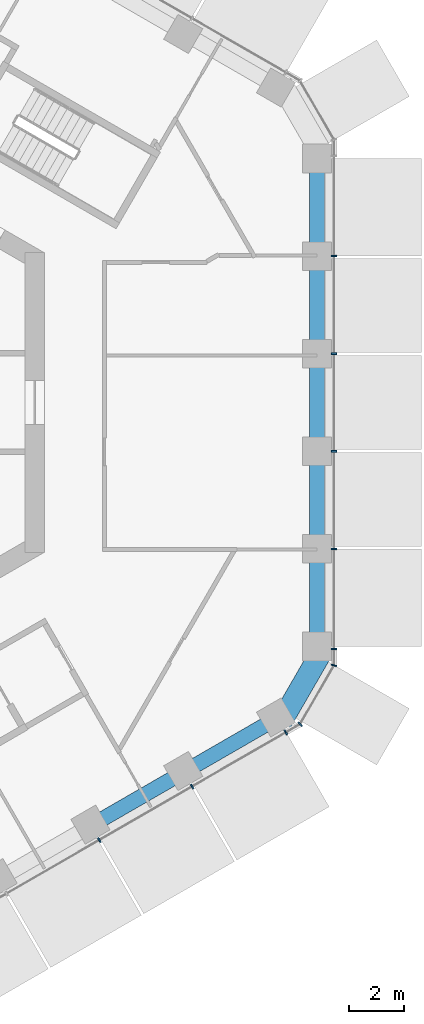
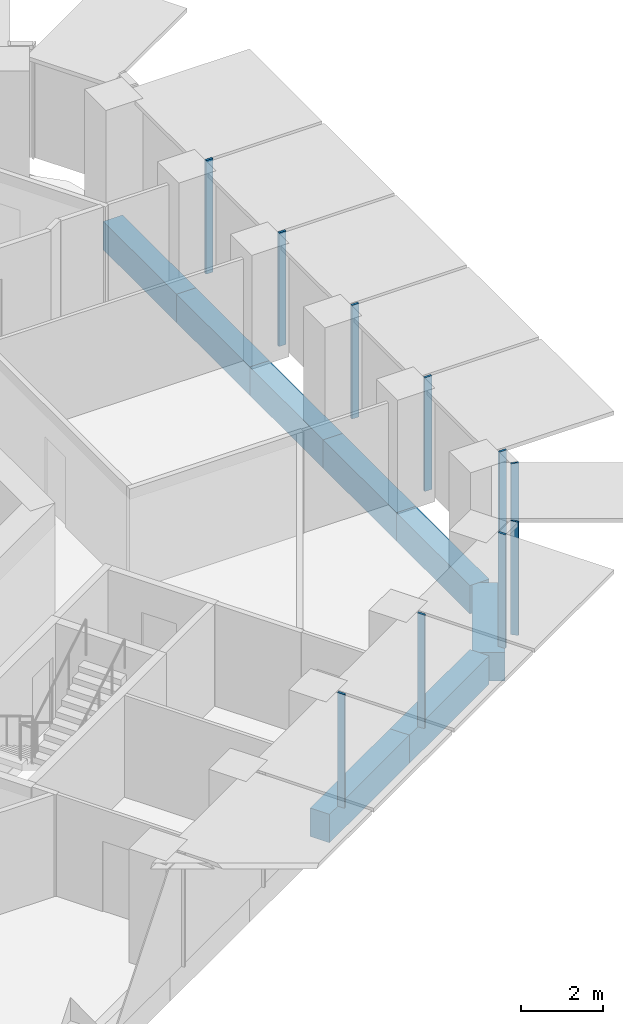
# One storey, part 4 of 18: 10 members, 8 beams, 3 elements without a shape of their own.
"""IFC4 building model written with IfcOpenShell, lengths in metres."""

from ifc_helpers import new_model, si_unit, direction, frame, origin, origin_2d, place, context, subcontext, project, spatial, rectangle, extrude, material, layer, layer_set, material_profile, profile_set, type_object, element, aggregate, save


model = new_model("IFC4")

# Units and contexts
model_context = context("Model", 3, precision=1e-05, world=origin(), true_north=direction((0.0, 1.0)))
body_context = subcontext(model_context, "Body", "Model", "MODEL_VIEW")
ifc_project = project(units=[si_unit("LENGTHUNIT", "METRE"), si_unit("AREAUNIT", "SQUARE_METRE"), si_unit("VOLUMEUNIT", "CUBIC_METRE"), si_unit("PLANEANGLEUNIT", "RADIAN"), si_unit("MASSUNIT", "GRAM", prefix="KILO")], contexts=[model_context])

# Site, building, storey
site_placement = place(None, origin())
site = spatial("IfcSite", under=ifc_project, at=site_placement, CompositionType="ELEMENT")
building_placement = place(site_placement, origin())
building = spatial("IfcBuilding", under=site, at=building_placement, Name="Ayvan Gate Tower", CompositionType="ELEMENT")
storey_placement = place(building_placement, frame((0.0, 0.0, 110.300048828125)))
storey = spatial("IfcBuildingStorey", under=building, at=storey_placement, Name="L29", CompositionType="ELEMENT", Elevation=110.300048828125)

# Beams
ifc_material_1 = material(Name="Concrete C40/50", Category="concrete")
ifc_material_profile_1 = material_profile(ifc_material_1, rectangle(XDim=0.800048828125, YDim=0.85009765625, at=origin_2d()), Name="RC 800x850")
ifc_profile_set_1 = profile_set([ifc_material_profile_1], Name="Concrete C40/50")
beam_type_1 = type_object("IfcBeamType", Name="Corner spandrel beam RC 800x850 C40/50", PredefinedType="BEAM", material=ifc_profile_set_1)
beam_1_placement = place(storey_placement, frame((18.176025390625, -11.693359375, -0.775146484375), z_axis=(0.50002537861, 0.866010750942, 0.0), x_axis=(-0.866010750942, 0.50002537861, 0.0)))
element("IfcBeam", 1, at=beam_1_placement, inside=storey, type_object=beam_type_1, Name="SB-L29-36", PredefinedType="BEAM", context=body_context, shape_type="SweptSolid", body=[
    extrude(rectangle(XDim=0.800048828125, YDim=0.85009765625, at=origin_2d()), origin(), (0.0, 0.0, 1.0), 2.999755859375),
])
ifc_material_profile_2 = material_profile(ifc_material_1, rectangle(XDim=0.550048828125, YDim=0.85009765625, at=origin_2d()), Name="RC 550x850")
ifc_profile_set_2 = profile_set([ifc_material_profile_2], Name="Concrete C40/50")
beam_type_2 = type_object("IfcBeamType", Name="Spandrel beam RC 550x850 C40/50", PredefinedType="BEAM", material=ifc_profile_set_2)
beam_2_placement = place(storey_placement, frame((19.485595703125, -8.9853515625, -0.775146484375), z_axis=(0.0, 1.0, 0.0), x_axis=(-1.0, 0.0, 0.0)))
element("IfcBeam", 2, at=beam_2_placement, inside=storey, type_object=beam_type_2, Name="SB-L29-1", PredefinedType="BEAM", context=body_context, shape_type="SweptSolid", body=[
    extrude(rectangle(XDim=0.550048828125, YDim=0.85009765625, at=origin_2d()), origin(), (0.0, 0.0, 1.0), 3.59423828125),
])
beam_3_placement = place(storey_placement, frame((19.485595703125, -5.39111328125, -0.775146484375), z_axis=(0.0, 1.0, 0.0), x_axis=(-1.0, 0.0, 0.0)))
element("IfcBeam", 3, at=beam_3_placement, inside=storey, type_object=beam_type_2, Name="SB-L29-2", PredefinedType="BEAM", context=body_context, shape_type="SweptSolid", body=[
    extrude(rectangle(XDim=0.550048828125, YDim=0.85009765625, at=origin_2d()), origin(), (0.0, 0.0, 1.0), 3.593994140625),
])
beam_4_placement = place(storey_placement, frame((19.485595703125, -1.797119140625, -0.775146484375), z_axis=(0.0, 1.0, 0.0), x_axis=(-1.0, 0.0, 0.0)))
element("IfcBeam", 4, at=beam_4_placement, inside=storey, type_object=beam_type_2, Name="SB-L29-3", PredefinedType="BEAM", context=body_context, shape_type="SweptSolid", body=[
    extrude(rectangle(XDim=0.550048828125, YDim=0.85009765625, at=origin_2d()), origin(), (0.0, 0.0, 1.0), 3.59423828125),
])
beam_5_placement = place(storey_placement, frame((19.485595703125, 1.797119140625, -0.775146484375), z_axis=(0.0, 1.0, 0.0), x_axis=(-1.0, 0.0, 0.0)))
element("IfcBeam", 5, at=beam_5_placement, inside=storey, type_object=beam_type_2, Name="SB-L29-4", PredefinedType="BEAM", context=body_context, shape_type="SweptSolid", body=[
    extrude(rectangle(XDim=0.550048828125, YDim=0.85009765625, at=origin_2d()), origin(), (0.0, 0.0, 1.0), 3.593994140625),
])
beam_6_placement = place(storey_placement, frame((19.485595703125, 5.39111328125, -0.775146484375), z_axis=(0.0, 1.0, 0.0), x_axis=(-1.0, 0.0, 0.0)))
element("IfcBeam", 6, at=beam_6_placement, inside=storey, type_object=beam_type_2, Name="SB-L29-5", PredefinedType="BEAM", context=body_context, shape_type="SweptSolid", body=[
    extrude(rectangle(XDim=0.550048828125, YDim=0.85009765625, at=origin_2d()), origin(), (0.0, 0.0, 1.0), 3.59423828125),
])
for number, where, z_axis, x_axis, name in (
    (7, (11.206787109375, -15.4970703125, -0.775146484375), (0.866034960037, 0.49998344772, 0.0), (-0.49998344772, 0.866034960037, 0.0), "SB-L29-34"),
    (8, (14.59619140625, -13.540283203125, -0.775146484375), (0.866034960037, 0.49998344772, 0.0), (-0.49998344772, 0.866034960037, 0.0), "SB-L29-35"),
):
    element("IfcBeam", number, at=place(storey_placement, frame(where, z_axis=z_axis, x_axis=x_axis)), inside=storey, type_object=beam_type_2, Name=name, PredefinedType="BEAM", context=body_context, shape_type="SweptSolid", body=[
        extrude(rectangle(XDim=0.550048828125, YDim=0.85009765625, at=origin_2d()), origin(), (0.0, 0.0, 1.0), 3.913818359375),
    ])

# Curtain wall, members
ifc_material_2 = material(Name="Bronze anodised aluminium", Category="aluminium")
ifc_layer_1 = layer(ifc_material_2, 0.199951171875)
ifc_layer_set_1 = layer_set([ifc_layer_1], Name="Bronze anodised aluminium")
curtain_wall_type_1 = type_object("IfcCurtainWallType", Name="Stick curtain wall CW-1", PredefinedType="NOTDEFINED", material=ifc_layer_set_1)
curtain_wall_1_placement = place(storey_placement, origin())
curtain_wall_1 = element("IfcCurtainWall", 9, at=curtain_wall_1_placement, inside=storey, type_object=curtain_wall_type_1, Name="Stick curtain wall CW-1 L29", PredefinedType="NOTDEFINED")
ifc_material_profile_3 = material_profile(ifc_material_2, rectangle(XDim=0.199951171875, YDim=0.06005859375, at=origin_2d()), Name="Stick curtain wall CW-1 mullion 200 x 60")
ifc_profile_set_3 = profile_set([ifc_material_profile_3], Name="Bronze anodised aluminium")
member_type_1 = type_object("IfcMemberType", Name="Stick curtain wall CW-1 mullion 200 x 60", PredefinedType="MULLION", material=ifc_profile_set_3)
member_1_placement = place(storey_placement, frame((11.516845703125, -16.024169921875, 0.0), z_axis=(0.0, 0.0, 1.0), x_axis=(0.5, -0.866025403784, 0.0)))
member_1 = element("IfcMember", 10, at=member_1_placement, type_object=member_type_1, Name="CW-1 mullion 4", PredefinedType="MULLION", context=body_context, shape_type="SweptSolid", body=[
    extrude(rectangle(XDim=0.199951171875, YDim=0.06005859375, at=origin_2d()), origin(), (0.0, 0.0, 1.0), 3.39990234375),
])
member_2_placement = place(storey_placement, frame((14.9150390625, -14.062255859375, 0.0), z_axis=(0.0, 0.0, 1.0), x_axis=(0.5, -0.866025403784, 0.0)))
member_2 = element("IfcMember", 11, at=member_2_placement, type_object=member_type_1, Name="CW-1 mullion 5", PredefinedType="MULLION", context=body_context, shape_type="SweptSolid", body=[
    extrude(rectangle(XDim=0.199951171875, YDim=0.06005859375, at=origin_2d()), origin(), (0.0, 0.0, 1.0), 3.39990234375),
])
member_3_placement = place(storey_placement, frame((18.34326171875, -12.0830078125, 0.0), z_axis=(0.0, 0.0, 1.0), x_axis=(0.5, -0.866025403784, 0.0)))
member_3 = element("IfcMember", 12, at=member_3_placement, type_object=member_type_1, Name="CW-1 mullion 6", PredefinedType="MULLION", context=body_context, shape_type="SweptSolid", body=[
    extrude(rectangle(XDim=0.199951171875, YDim=0.06005859375, at=origin_2d()), origin(), (0.0, 0.0, 1.0), 3.39990234375),
])
aggregate(curtain_wall_1, [member_1, member_2, member_3])

curtain_wall_2_placement = place(storey_placement, origin())
curtain_wall_2 = element("IfcCurtainWall", 13, at=curtain_wall_2_placement, inside=storey, type_object=curtain_wall_type_1, Name="Stick curtain wall CW-1 L29", PredefinedType="NOTDEFINED")
member_4_placement = place(storey_placement, frame((20.110595703125, -9.02197265625, 0.0), z_axis=(0.0, 0.0, 1.0), x_axis=(1.0, 0.0, 0.0)))
member_4 = element("IfcMember", 14, at=member_4_placement, type_object=member_type_1, Name="CW-1 mullion 1", PredefinedType="MULLION", context=body_context, shape_type="SweptSolid", body=[
    extrude(rectangle(XDim=0.199951171875, YDim=0.06005859375, at=origin_2d()), origin(), (0.0, 0.0, 1.0), 3.39990234375),
])
member_5_placement = place(storey_placement, frame((20.110595703125, -5.361083984375, 0.0), z_axis=(0.0, 0.0, 1.0), x_axis=(1.0, 0.0, 0.0)))
member_5 = element("IfcMember", 15, at=member_5_placement, type_object=member_type_1, Name="CW-1 mullion 2", PredefinedType="MULLION", context=body_context, shape_type="SweptSolid", body=[
    extrude(rectangle(XDim=0.199951171875, YDim=0.06005859375, at=origin_2d()), origin(), (0.0, 0.0, 1.0), 3.39990234375),
])
member_6_placement = place(storey_placement, frame((20.110595703125, -1.787109375, 0.0), z_axis=(0.0, 0.0, 1.0), x_axis=(1.0, 0.0, 0.0)))
member_6 = element("IfcMember", 16, at=member_6_placement, type_object=member_type_1, Name="CW-1 mullion 3", PredefinedType="MULLION", context=body_context, shape_type="SweptSolid", body=[
    extrude(rectangle(XDim=0.199951171875, YDim=0.06005859375, at=origin_2d()), origin(), (0.0, 0.0, 1.0), 3.39990234375),
])
member_7_placement = place(storey_placement, frame((20.110595703125, 1.787109375, 0.0), z_axis=(0.0, 0.0, 1.0), x_axis=(1.0, 0.0, 0.0)))
member_7 = element("IfcMember", 17, at=member_7_placement, type_object=member_type_1, Name="CW-1 mullion 4", PredefinedType="MULLION", context=body_context, shape_type="SweptSolid", body=[
    extrude(rectangle(XDim=0.199951171875, YDim=0.06005859375, at=origin_2d()), origin(), (0.0, 0.0, 1.0), 3.39990234375),
])
member_8_placement = place(storey_placement, frame((20.110595703125, 5.361083984375, 0.0), z_axis=(0.0, 0.0, 1.0), x_axis=(1.0, 0.0, 0.0)))
member_8 = element("IfcMember", 18, at=member_8_placement, type_object=member_type_1, Name="CW-1 mullion 5", PredefinedType="MULLION", context=body_context, shape_type="SweptSolid", body=[
    extrude(rectangle(XDim=0.199951171875, YDim=0.06005859375, at=origin_2d()), origin(), (0.0, 0.0, 1.0), 3.39990234375),
])
aggregate(curtain_wall_2, [member_4, member_5, member_6, member_7, member_8])

ifc_layer_2 = layer(ifc_material_2, 0.199951171875)
ifc_layer_set_2 = layer_set([ifc_layer_2], Name="Bronze anodised aluminium")
curtain_wall_type_2 = type_object("IfcCurtainWallType", Name="Stick curtain wall CW-6", PredefinedType="NOTDEFINED", material=ifc_layer_set_2)
curtain_wall_3_placement = place(storey_placement, origin())
curtain_wall_3 = element("IfcCurtainWall", 19, at=curtain_wall_3_placement, inside=storey, type_object=curtain_wall_type_2, Name="Stick curtain wall CW-6 L29", PredefinedType="NOTDEFINED")
ifc_material_profile_4 = material_profile(ifc_material_2, rectangle(XDim=0.199951171875, YDim=0.050048828125, at=origin_2d()), Name="Stick curtain wall CW-6 mullion 200 x 50")
ifc_profile_set_4 = profile_set([ifc_material_profile_4], Name="Bronze anodised aluminium")
member_type_2 = type_object("IfcMemberType", Name="Stick curtain wall CW-6 mullion 200 x 50", PredefinedType="MULLION", material=ifc_profile_set_4)
member_9_placement = place(storey_placement, frame((18.8671875, -11.780517578125, 0.0), z_axis=(0.0, 0.0, 1.0), x_axis=(0.707106781187, -0.707106781187, 0.0)))
member_9 = element("IfcMember", 20, at=member_9_placement, type_object=member_type_2, Name="CW-6 mullion 2", PredefinedType="MULLION", context=body_context, shape_type="SweptSolid", body=[
    extrude(rectangle(XDim=0.199951171875, YDim=0.050048828125, at=origin_2d()), origin(), (0.0, 0.0, 1.0), 3.39990234375),
])
member_10_placement = place(storey_placement, frame((20.110595703125, -9.626953125, 0.0), z_axis=(0.0, 0.0, 1.0), x_axis=(0.965925826289, -0.258819045103, 0.0)))
member_10 = element("IfcMember", 21, at=member_10_placement, type_object=member_type_2, Name="CW-6 mullion 3", PredefinedType="MULLION", context=body_context, shape_type="SweptSolid", body=[
    extrude(rectangle(XDim=0.199951171875, YDim=0.050048828125, at=origin_2d()), origin(), (0.0, 0.0, 1.0), 3.39990234375),
])
aggregate(curtain_wall_3, [member_9, member_10])

save(model, "model.ifc")
